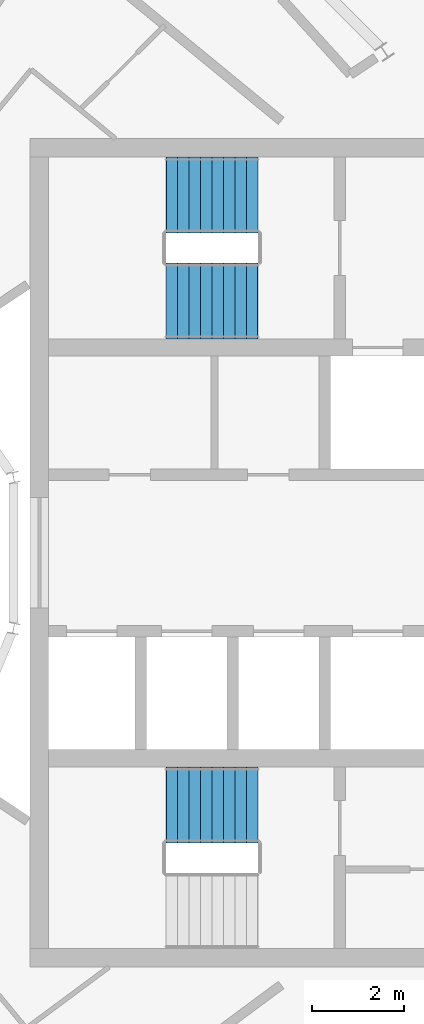
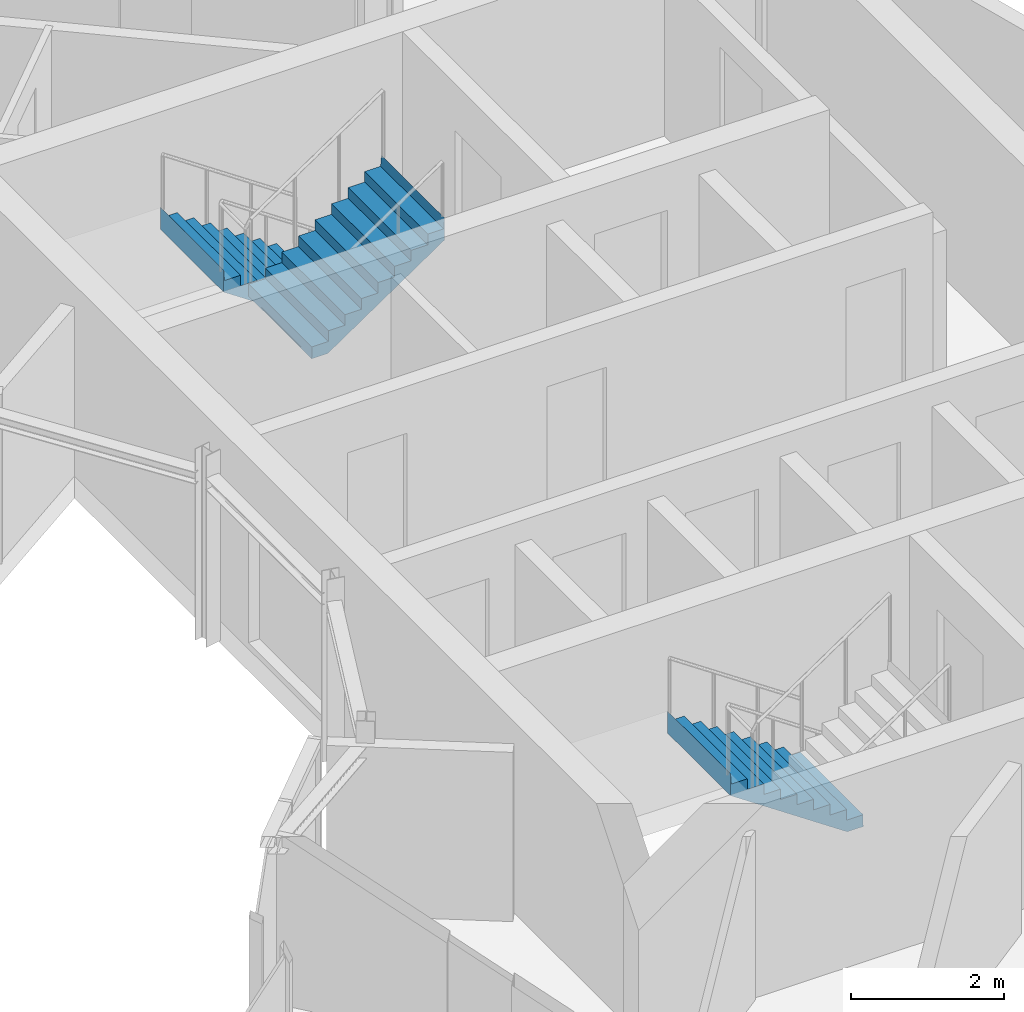
# One storey, part 16 of 17: 3 stair flights, 2 elements without a shape of their own.
"""IFC4 building model written with IfcOpenShell, lengths in metres."""

from ifc_helpers import new_model, si_unit, direction, frame, origin, place, context, subcontext, project, spatial, triangles, material, type_object, element, aggregate, save


model = new_model("IFC4")

# Units and contexts
model_context = context("Model", 3, precision=1e-05, world=origin(), true_north=direction((0.0, 1.0)))
body_context = subcontext(model_context, "Body", "Model", "MODEL_VIEW")
ifc_project = project(units=[si_unit("LENGTHUNIT", "METRE"), si_unit("AREAUNIT", "SQUARE_METRE"), si_unit("VOLUMEUNIT", "CUBIC_METRE"), si_unit("PLANEANGLEUNIT", "RADIAN"), si_unit("MASSUNIT", "GRAM", prefix="KILO")], contexts=[model_context])

# Site, building, storey
site_placement = place(None, origin())
site = spatial("IfcSite", under=ifc_project, at=site_placement, CompositionType="ELEMENT")
building_placement = place(site_placement, origin())
building = spatial("IfcBuilding", under=site, at=building_placement, Name="Maasbend Ring Residences", CompositionType="ELEMENT")
storey_placement = place(building_placement, frame((0.0, 0.0, 249.300048828125)))
storey = spatial("IfcBuildingStorey", under=building, at=storey_placement, Name="L72", CompositionType="ELEMENT", Elevation=249.300048828125)

# Stair, stair flights
ifc_material_1 = material(Name="Concrete C40/50", Category="concrete")
stair_type = type_object("IfcStairType", Name="CORE STAIR 18 RISERS", PredefinedType="HALF_TURN_STAIR", material=ifc_material_1)
stair_1_placement = place(storey_placement, origin())
stair_1 = element("IfcStair", 1, at=stair_1_placement, inside=storey, type_object=stair_type, Name="L72 Exit stair ST-E1", PredefinedType="HALF_TURN_STAIR")
ifc_material_2 = material(Name="Concrete C40/50", Category="concrete")
stair_flight_type = type_object("IfcStairFlightType", Name="CORE STAIR FLIGHT 1650", PredefinedType="STRAIGHT", material=ifc_material_2)
stair_flight_1_placement = place(storey_placement, frame((13.550048828125, 7.77490234375, 0.0), z_axis=(0.0, 0.0, 1.0), x_axis=(-1.0, 0.0, 0.0)))
stair_flight_1 = element("IfcStairFlight", 2, at=stair_flight_1_placement, type_object=stair_flight_type, Name="ST-E1 flight 1", NumberOfRisers=9, NumberOfTreads=8, PredefinedType="STRAIGHT", RiserHeight=0.169444444, TreadLength=0.25, context=body_context, shape_type="Tessellation", body=[
    triangles([(0.24072265625, 0.824951171875, -0.02001953125), (2.0029296875, 0.824951171875, 1.174560546875), (2.0029296875, 0.824951171875, 1.52490234375), (1.989990234375, 0.824951171875, 1.35546875), (1.75, 0.824951171875, 1.35546875), (1.75, 0.824951171875, 1.18603515625), (1.5, 0.824951171875, 1.18603515625), (1.5, 0.824951171875, 1.0166015625), (1.25, 0.824951171875, 1.0166015625), (1.25, 0.824951171875, 0.84716796875), (1.0, 0.824951171875, 0.84716796875), (1.0, 0.824951171875, 0.677734375), (0.75, 0.824951171875, 0.677734375), (0.75, 0.824951171875, 0.50830078125), (0.5, 0.824951171875, 0.50830078125), (0.5, 0.824951171875, 0.3388671875), (0.25, 0.824951171875, 0.3388671875), (0.25, 0.824951171875, 0.16943359375), (0.0, 0.824951171875, 0.16943359375), (0.0, 0.824951171875, 0.0), (-0.0029296875, 0.824951171875, 0.0), (-0.0029296875, 0.824951171875, -0.02001953125), (0.24072265625, 0.27490234375, -0.02001953125), (2.0029296875, 0.27490234375, 1.174560546875), (2.0029296875, 0.27490234375, 1.52490234375), (1.989990234375, 0.27490234375, 1.35546875), (1.75, 0.27490234375, 1.35546875), (1.75, 0.27490234375, 1.18603515625), (1.5, 0.27490234375, 1.18603515625), (1.5, 0.27490234375, 1.0166015625), (1.25, 0.27490234375, 1.0166015625), (1.25, 0.27490234375, 0.84716796875), (1.0, 0.27490234375, 0.84716796875), (1.0, 0.27490234375, 0.677734375), (0.75, 0.27490234375, 0.677734375), (0.75, 0.27490234375, 0.50830078125), (0.5, 0.27490234375, 0.50830078125), (0.5, 0.27490234375, 0.3388671875), (0.25, 0.27490234375, 0.3388671875), (0.25, 0.27490234375, 0.16943359375), (0.0, 0.27490234375, 0.16943359375), (0.0, 0.27490234375, 0.0), (-0.0029296875, 0.27490234375, 0.0), (-0.0029296875, 0.27490234375, -0.02001953125), (0.24072265625, -0.27490234375, -0.02001953125), (2.0029296875, -0.27490234375, 1.174560546875), (2.0029296875, -0.27490234375, 1.52490234375), (1.989990234375, -0.27490234375, 1.35546875), (1.75, -0.27490234375, 1.35546875), (1.75, -0.27490234375, 1.18603515625), (1.5, -0.27490234375, 1.18603515625), (1.5, -0.27490234375, 1.0166015625), (1.25, -0.27490234375, 1.0166015625), (1.25, -0.27490234375, 0.84716796875), (1.0, -0.27490234375, 0.84716796875), (1.0, -0.27490234375, 0.677734375), (0.75, -0.27490234375, 0.677734375), (0.75, -0.27490234375, 0.50830078125), (0.5, -0.27490234375, 0.50830078125), (0.5, -0.27490234375, 0.3388671875), (0.25, -0.27490234375, 0.3388671875), (0.25, -0.27490234375, 0.16943359375), (0.0, -0.27490234375, 0.16943359375), (0.0, -0.27490234375, 0.0), (-0.0029296875, -0.27490234375, 0.0), (-0.0029296875, -0.27490234375, -0.02001953125), (0.24072265625, -0.824951171875, -0.02001953125), (2.0029296875, -0.824951171875, 1.174560546875), (2.0029296875, -0.824951171875, 1.52490234375), (1.989990234375, -0.824951171875, 1.35546875), (1.75, -0.824951171875, 1.35546875), (1.75, -0.824951171875, 1.18603515625), (1.5, -0.824951171875, 1.18603515625), (1.5, -0.824951171875, 1.0166015625), (1.25, -0.824951171875, 1.0166015625), (1.25, -0.824951171875, 0.84716796875), (1.0, -0.824951171875, 0.84716796875), (1.0, -0.824951171875, 0.677734375), (0.75, -0.824951171875, 0.677734375), (0.75, -0.824951171875, 0.50830078125), (0.5, -0.824951171875, 0.50830078125), (0.5, -0.824951171875, 0.3388671875), (0.25, -0.824951171875, 0.3388671875), (0.25, -0.824951171875, 0.16943359375), (0.0, -0.824951171875, 0.16943359375), (0.0, -0.824951171875, 0.0), (-0.0029296875, -0.824951171875, 0.0), (-0.0029296875, -0.824951171875, -0.02001953125)], [[1, 2, 24], [1, 24, 23], [23, 24, 46], [23, 46, 45], [45, 46, 68], [45, 68, 67], [2, 3, 25], [2, 25, 24], [24, 25, 47], [24, 47, 46], [46, 47, 69], [46, 69, 68], [3, 4, 26], [3, 26, 25], [25, 26, 48], [25, 48, 47], [47, 48, 70], [47, 70, 69], [4, 5, 27], [4, 27, 26], [26, 27, 49], [26, 49, 48], [48, 49, 71], [48, 71, 70], [5, 6, 28], [5, 28, 27], [27, 28, 50], [27, 50, 49], [49, 50, 72], [49, 72, 71], [6, 7, 29], [6, 29, 28], [28, 29, 51], [28, 51, 50], [50, 51, 73], [50, 73, 72], [7, 8, 30], [7, 30, 29], [29, 30, 52], [29, 52, 51], [51, 52, 74], [51, 74, 73], [8, 9, 31], [8, 31, 30], [30, 31, 53], [30, 53, 52], [52, 53, 75], [52, 75, 74], [9, 10, 32], [9, 32, 31], [31, 32, 54], [31, 54, 53], [53, 54, 76], [53, 76, 75], [10, 11, 33], [10, 33, 32], [32, 33, 55], [32, 55, 54], [54, 55, 77], [54, 77, 76], [11, 12, 34], [11, 34, 33], [33, 34, 56], [33, 56, 55], [55, 56, 78], [55, 78, 77], [12, 13, 35], [12, 35, 34], [34, 35, 57], [34, 57, 56], [56, 57, 79], [56, 79, 78], [13, 14, 36], [13, 36, 35], [35, 36, 58], [35, 58, 57], [57, 58, 80], [57, 80, 79], [14, 15, 37], [14, 37, 36], [36, 37, 59], [36, 59, 58], [58, 59, 81], [58, 81, 80], [15, 16, 38], [15, 38, 37], [37, 38, 60], [37, 60, 59], [59, 60, 82], [59, 82, 81], [16, 17, 39], [16, 39, 38], [38, 39, 61], [38, 61, 60], [60, 61, 83], [60, 83, 82], [17, 18, 40], [17, 40, 39], [39, 40, 62], [39, 62, 61], [61, 62, 84], [61, 84, 83], [18, 19, 41], [18, 41, 40], [40, 41, 63], [40, 63, 62], [62, 63, 85], [62, 85, 84], [19, 20, 42], [19, 42, 41], [41, 42, 64], [41, 64, 63], [63, 64, 86], [63, 86, 85], [20, 21, 43], [20, 43, 42], [42, 43, 65], [42, 65, 64], [64, 65, 87], [64, 87, 86], [21, 22, 44], [21, 44, 43], [43, 44, 66], [43, 66, 65], [65, 66, 88], [65, 88, 87], [22, 1, 23], [22, 23, 44], [44, 23, 45], [44, 45, 66], [66, 45, 67], [66, 67, 88], [22, 2, 1], [2, 4, 3], [2, 5, 4], [2, 6, 5], [22, 6, 2], [6, 8, 7], [22, 8, 6], [8, 10, 9], [22, 10, 8], [10, 12, 11], [22, 12, 10], [12, 14, 13], [22, 14, 12], [14, 16, 15], [22, 16, 14], [16, 18, 17], [22, 18, 16], [18, 20, 19], [22, 20, 18], [20, 22, 21], [88, 67, 68], [68, 69, 70], [68, 70, 71], [68, 71, 72], [88, 68, 72], [72, 73, 74], [88, 72, 74], [74, 75, 76], [88, 74, 76], [76, 77, 78], [88, 76, 78], [78, 79, 80], [88, 78, 80], [80, 81, 82], [88, 80, 82], [82, 83, 84], [88, 82, 84], [84, 85, 86], [88, 84, 86], [86, 87, 88]], closed=True),
])
stair_flight_2_placement = place(storey_placement, frame((11.550048828125, 5.47509765625, 1.52490234375), z_axis=(0.0, 0.0, 1.0), x_axis=(1.0, 0.0, 0.0)))
stair_flight_2 = element("IfcStairFlight", 3, at=stair_flight_2_placement, type_object=stair_flight_type, Name="ST-E1 flight 2", NumberOfRisers=9, NumberOfTreads=8, PredefinedType="STRAIGHT", RiserHeight=0.169444444, TreadLength=0.25, context=body_context, shape_type="Tessellation", body=[
    triangles([(0.24072265625, 0.824951171875, -0.02001953125), (2.0029296875, 0.824951171875, 1.174560546875), (2.0029296875, 0.824951171875, 1.52490234375), (1.989990234375, 0.824951171875, 1.35546875), (1.75, 0.824951171875, 1.35546875), (1.75, 0.824951171875, 1.18603515625), (1.5, 0.824951171875, 1.18603515625), (1.5, 0.824951171875, 1.0166015625), (1.25, 0.824951171875, 1.0166015625), (1.25, 0.824951171875, 0.84716796875), (1.0, 0.824951171875, 0.84716796875), (1.0, 0.824951171875, 0.677734375), (0.75, 0.824951171875, 0.677734375), (0.75, 0.824951171875, 0.50830078125), (0.5, 0.824951171875, 0.50830078125), (0.5, 0.824951171875, 0.3388671875), (0.25, 0.824951171875, 0.3388671875), (0.25, 0.824951171875, 0.16943359375), (0.0, 0.824951171875, 0.16943359375), (0.0, 0.824951171875, 0.0), (-0.0029296875, 0.824951171875, 0.0), (-0.0029296875, 0.824951171875, -0.02001953125), (0.24072265625, 0.27490234375, -0.02001953125), (2.0029296875, 0.27490234375, 1.174560546875), (2.0029296875, 0.27490234375, 1.52490234375), (1.989990234375, 0.27490234375, 1.35546875), (1.75, 0.27490234375, 1.35546875), (1.75, 0.27490234375, 1.18603515625), (1.5, 0.27490234375, 1.18603515625), (1.5, 0.27490234375, 1.0166015625), (1.25, 0.27490234375, 1.0166015625), (1.25, 0.27490234375, 0.84716796875), (1.0, 0.27490234375, 0.84716796875), (1.0, 0.27490234375, 0.677734375), (0.75, 0.27490234375, 0.677734375), (0.75, 0.27490234375, 0.50830078125), (0.5, 0.27490234375, 0.50830078125), (0.5, 0.27490234375, 0.3388671875), (0.25, 0.27490234375, 0.3388671875), (0.25, 0.27490234375, 0.16943359375), (0.0, 0.27490234375, 0.16943359375), (0.0, 0.27490234375, 0.0), (-0.0029296875, 0.27490234375, 0.0), (-0.0029296875, 0.27490234375, -0.02001953125), (0.24072265625, -0.27490234375, -0.02001953125), (2.0029296875, -0.27490234375, 1.174560546875), (2.0029296875, -0.27490234375, 1.52490234375), (1.989990234375, -0.27490234375, 1.35546875), (1.75, -0.27490234375, 1.35546875), (1.75, -0.27490234375, 1.18603515625), (1.5, -0.27490234375, 1.18603515625), (1.5, -0.27490234375, 1.0166015625), (1.25, -0.27490234375, 1.0166015625), (1.25, -0.27490234375, 0.84716796875), (1.0, -0.27490234375, 0.84716796875), (1.0, -0.27490234375, 0.677734375), (0.75, -0.27490234375, 0.677734375), (0.75, -0.27490234375, 0.50830078125), (0.5, -0.27490234375, 0.50830078125), (0.5, -0.27490234375, 0.3388671875), (0.25, -0.27490234375, 0.3388671875), (0.25, -0.27490234375, 0.16943359375), (0.0, -0.27490234375, 0.16943359375), (0.0, -0.27490234375, 0.0), (-0.0029296875, -0.27490234375, 0.0), (-0.0029296875, -0.27490234375, -0.02001953125), (0.24072265625, -0.824951171875, -0.02001953125), (2.0029296875, -0.824951171875, 1.174560546875), (2.0029296875, -0.824951171875, 1.52490234375), (1.989990234375, -0.824951171875, 1.35546875), (1.75, -0.824951171875, 1.35546875), (1.75, -0.824951171875, 1.18603515625), (1.5, -0.824951171875, 1.18603515625), (1.5, -0.824951171875, 1.0166015625), (1.25, -0.824951171875, 1.0166015625), (1.25, -0.824951171875, 0.84716796875), (1.0, -0.824951171875, 0.84716796875), (1.0, -0.824951171875, 0.677734375), (0.75, -0.824951171875, 0.677734375), (0.75, -0.824951171875, 0.50830078125), (0.5, -0.824951171875, 0.50830078125), (0.5, -0.824951171875, 0.3388671875), (0.25, -0.824951171875, 0.3388671875), (0.25, -0.824951171875, 0.16943359375), (0.0, -0.824951171875, 0.16943359375), (0.0, -0.824951171875, 0.0), (-0.0029296875, -0.824951171875, 0.0), (-0.0029296875, -0.824951171875, -0.02001953125)], [[1, 2, 24], [1, 24, 23], [23, 24, 46], [23, 46, 45], [45, 46, 68], [45, 68, 67], [2, 3, 25], [2, 25, 24], [24, 25, 47], [24, 47, 46], [46, 47, 69], [46, 69, 68], [3, 4, 26], [3, 26, 25], [25, 26, 48], [25, 48, 47], [47, 48, 70], [47, 70, 69], [4, 5, 27], [4, 27, 26], [26, 27, 49], [26, 49, 48], [48, 49, 71], [48, 71, 70], [5, 6, 28], [5, 28, 27], [27, 28, 50], [27, 50, 49], [49, 50, 72], [49, 72, 71], [6, 7, 29], [6, 29, 28], [28, 29, 51], [28, 51, 50], [50, 51, 73], [50, 73, 72], [7, 8, 30], [7, 30, 29], [29, 30, 52], [29, 52, 51], [51, 52, 74], [51, 74, 73], [8, 9, 31], [8, 31, 30], [30, 31, 53], [30, 53, 52], [52, 53, 75], [52, 75, 74], [9, 10, 32], [9, 32, 31], [31, 32, 54], [31, 54, 53], [53, 54, 76], [53, 76, 75], [10, 11, 33], [10, 33, 32], [32, 33, 55], [32, 55, 54], [54, 55, 77], [54, 77, 76], [11, 12, 34], [11, 34, 33], [33, 34, 56], [33, 56, 55], [55, 56, 78], [55, 78, 77], [12, 13, 35], [12, 35, 34], [34, 35, 57], [34, 57, 56], [56, 57, 79], [56, 79, 78], [13, 14, 36], [13, 36, 35], [35, 36, 58], [35, 58, 57], [57, 58, 80], [57, 80, 79], [14, 15, 37], [14, 37, 36], [36, 37, 59], [36, 59, 58], [58, 59, 81], [58, 81, 80], [15, 16, 38], [15, 38, 37], [37, 38, 60], [37, 60, 59], [59, 60, 82], [59, 82, 81], [16, 17, 39], [16, 39, 38], [38, 39, 61], [38, 61, 60], [60, 61, 83], [60, 83, 82], [17, 18, 40], [17, 40, 39], [39, 40, 62], [39, 62, 61], [61, 62, 84], [61, 84, 83], [18, 19, 41], [18, 41, 40], [40, 41, 63], [40, 63, 62], [62, 63, 85], [62, 85, 84], [19, 20, 42], [19, 42, 41], [41, 42, 64], [41, 64, 63], [63, 64, 86], [63, 86, 85], [20, 21, 43], [20, 43, 42], [42, 43, 65], [42, 65, 64], [64, 65, 87], [64, 87, 86], [21, 22, 44], [21, 44, 43], [43, 44, 66], [43, 66, 65], [65, 66, 88], [65, 88, 87], [22, 1, 23], [22, 23, 44], [44, 23, 45], [44, 45, 66], [66, 45, 67], [66, 67, 88], [22, 2, 1], [2, 4, 3], [2, 5, 4], [2, 6, 5], [22, 6, 2], [6, 8, 7], [22, 8, 6], [8, 10, 9], [22, 10, 8], [10, 12, 11], [22, 12, 10], [12, 14, 13], [22, 14, 12], [14, 16, 15], [22, 16, 14], [16, 18, 17], [22, 18, 16], [18, 20, 19], [22, 20, 18], [20, 22, 21], [88, 67, 68], [68, 69, 70], [68, 70, 71], [68, 71, 72], [88, 68, 72], [72, 73, 74], [88, 72, 74], [74, 75, 76], [88, 74, 76], [76, 77, 78], [88, 76, 78], [78, 79, 80], [88, 78, 80], [80, 81, 82], [88, 80, 82], [82, 83, 84], [88, 82, 84], [84, 85, 86], [88, 84, 86], [86, 87, 88]], closed=True),
])
aggregate(stair_1, [stair_flight_1, stair_flight_2])

# Stair, stair flight
stair_2_placement = place(storey_placement, origin())
stair_2 = element("IfcStair", 4, at=stair_2_placement, inside=storey, type_object=stair_type, Name="L72 Exit stair ST-E2", PredefinedType="HALF_TURN_STAIR")
stair_flight_3_placement = place(storey_placement, frame((13.550048828125, -5.47509765625, 0.0), z_axis=(0.0, 0.0, 1.0), x_axis=(-1.0, 0.0, 0.0)))
stair_flight_3 = element("IfcStairFlight", 5, at=stair_flight_3_placement, type_object=stair_flight_type, Name="ST-E2 flight 1", NumberOfRisers=9, NumberOfTreads=8, PredefinedType="STRAIGHT", RiserHeight=0.169444444, TreadLength=0.25, context=body_context, shape_type="Tessellation", body=[
    triangles([(0.24072265625, 0.824951171875, -0.02001953125), (2.0029296875, 0.824951171875, 1.174560546875), (2.0029296875, 0.824951171875, 1.52490234375), (1.989990234375, 0.824951171875, 1.35546875), (1.75, 0.824951171875, 1.35546875), (1.75, 0.824951171875, 1.18603515625), (1.5, 0.824951171875, 1.18603515625), (1.5, 0.824951171875, 1.0166015625), (1.25, 0.824951171875, 1.0166015625), (1.25, 0.824951171875, 0.84716796875), (1.0, 0.824951171875, 0.84716796875), (1.0, 0.824951171875, 0.677734375), (0.75, 0.824951171875, 0.677734375), (0.75, 0.824951171875, 0.50830078125), (0.5, 0.824951171875, 0.50830078125), (0.5, 0.824951171875, 0.3388671875), (0.25, 0.824951171875, 0.3388671875), (0.25, 0.824951171875, 0.16943359375), (0.0, 0.824951171875, 0.16943359375), (0.0, 0.824951171875, 0.0), (-0.0029296875, 0.824951171875, 0.0), (-0.0029296875, 0.824951171875, -0.02001953125), (0.24072265625, 0.27490234375, -0.02001953125), (2.0029296875, 0.27490234375, 1.174560546875), (2.0029296875, 0.27490234375, 1.52490234375), (1.989990234375, 0.27490234375, 1.35546875), (1.75, 0.27490234375, 1.35546875), (1.75, 0.27490234375, 1.18603515625), (1.5, 0.27490234375, 1.18603515625), (1.5, 0.27490234375, 1.0166015625), (1.25, 0.27490234375, 1.0166015625), (1.25, 0.27490234375, 0.84716796875), (1.0, 0.27490234375, 0.84716796875), (1.0, 0.27490234375, 0.677734375), (0.75, 0.27490234375, 0.677734375), (0.75, 0.27490234375, 0.50830078125), (0.5, 0.27490234375, 0.50830078125), (0.5, 0.27490234375, 0.3388671875), (0.25, 0.27490234375, 0.3388671875), (0.25, 0.27490234375, 0.16943359375), (0.0, 0.27490234375, 0.16943359375), (0.0, 0.27490234375, 0.0), (-0.0029296875, 0.27490234375, 0.0), (-0.0029296875, 0.27490234375, -0.02001953125), (0.24072265625, -0.27490234375, -0.02001953125), (2.0029296875, -0.27490234375, 1.174560546875), (2.0029296875, -0.27490234375, 1.52490234375), (1.989990234375, -0.27490234375, 1.35546875), (1.75, -0.27490234375, 1.35546875), (1.75, -0.27490234375, 1.18603515625), (1.5, -0.27490234375, 1.18603515625), (1.5, -0.27490234375, 1.0166015625), (1.25, -0.27490234375, 1.0166015625), (1.25, -0.27490234375, 0.84716796875), (1.0, -0.27490234375, 0.84716796875), (1.0, -0.27490234375, 0.677734375), (0.75, -0.27490234375, 0.677734375), (0.75, -0.27490234375, 0.50830078125), (0.5, -0.27490234375, 0.50830078125), (0.5, -0.27490234375, 0.3388671875), (0.25, -0.27490234375, 0.3388671875), (0.25, -0.27490234375, 0.16943359375), (0.0, -0.27490234375, 0.16943359375), (0.0, -0.27490234375, 0.0), (-0.0029296875, -0.27490234375, 0.0), (-0.0029296875, -0.27490234375, -0.02001953125), (0.24072265625, -0.824951171875, -0.02001953125), (2.0029296875, -0.824951171875, 1.174560546875), (2.0029296875, -0.824951171875, 1.52490234375), (1.989990234375, -0.824951171875, 1.35546875), (1.75, -0.824951171875, 1.35546875), (1.75, -0.824951171875, 1.18603515625), (1.5, -0.824951171875, 1.18603515625), (1.5, -0.824951171875, 1.0166015625), (1.25, -0.824951171875, 1.0166015625), (1.25, -0.824951171875, 0.84716796875), (1.0, -0.824951171875, 0.84716796875), (1.0, -0.824951171875, 0.677734375), (0.75, -0.824951171875, 0.677734375), (0.75, -0.824951171875, 0.50830078125), (0.5, -0.824951171875, 0.50830078125), (0.5, -0.824951171875, 0.3388671875), (0.25, -0.824951171875, 0.3388671875), (0.25, -0.824951171875, 0.16943359375), (0.0, -0.824951171875, 0.16943359375), (0.0, -0.824951171875, 0.0), (-0.0029296875, -0.824951171875, 0.0), (-0.0029296875, -0.824951171875, -0.02001953125)], [[1, 2, 24], [1, 24, 23], [23, 24, 46], [23, 46, 45], [45, 46, 68], [45, 68, 67], [2, 3, 25], [2, 25, 24], [24, 25, 47], [24, 47, 46], [46, 47, 69], [46, 69, 68], [3, 4, 26], [3, 26, 25], [25, 26, 48], [25, 48, 47], [47, 48, 70], [47, 70, 69], [4, 5, 27], [4, 27, 26], [26, 27, 49], [26, 49, 48], [48, 49, 71], [48, 71, 70], [5, 6, 28], [5, 28, 27], [27, 28, 50], [27, 50, 49], [49, 50, 72], [49, 72, 71], [6, 7, 29], [6, 29, 28], [28, 29, 51], [28, 51, 50], [50, 51, 73], [50, 73, 72], [7, 8, 30], [7, 30, 29], [29, 30, 52], [29, 52, 51], [51, 52, 74], [51, 74, 73], [8, 9, 31], [8, 31, 30], [30, 31, 53], [30, 53, 52], [52, 53, 75], [52, 75, 74], [9, 10, 32], [9, 32, 31], [31, 32, 54], [31, 54, 53], [53, 54, 76], [53, 76, 75], [10, 11, 33], [10, 33, 32], [32, 33, 55], [32, 55, 54], [54, 55, 77], [54, 77, 76], [11, 12, 34], [11, 34, 33], [33, 34, 56], [33, 56, 55], [55, 56, 78], [55, 78, 77], [12, 13, 35], [12, 35, 34], [34, 35, 57], [34, 57, 56], [56, 57, 79], [56, 79, 78], [13, 14, 36], [13, 36, 35], [35, 36, 58], [35, 58, 57], [57, 58, 80], [57, 80, 79], [14, 15, 37], [14, 37, 36], [36, 37, 59], [36, 59, 58], [58, 59, 81], [58, 81, 80], [15, 16, 38], [15, 38, 37], [37, 38, 60], [37, 60, 59], [59, 60, 82], [59, 82, 81], [16, 17, 39], [16, 39, 38], [38, 39, 61], [38, 61, 60], [60, 61, 83], [60, 83, 82], [17, 18, 40], [17, 40, 39], [39, 40, 62], [39, 62, 61], [61, 62, 84], [61, 84, 83], [18, 19, 41], [18, 41, 40], [40, 41, 63], [40, 63, 62], [62, 63, 85], [62, 85, 84], [19, 20, 42], [19, 42, 41], [41, 42, 64], [41, 64, 63], [63, 64, 86], [63, 86, 85], [20, 21, 43], [20, 43, 42], [42, 43, 65], [42, 65, 64], [64, 65, 87], [64, 87, 86], [21, 22, 44], [21, 44, 43], [43, 44, 66], [43, 66, 65], [65, 66, 88], [65, 88, 87], [22, 1, 23], [22, 23, 44], [44, 23, 45], [44, 45, 66], [66, 45, 67], [66, 67, 88], [22, 2, 1], [2, 4, 3], [2, 5, 4], [2, 6, 5], [22, 6, 2], [6, 8, 7], [22, 8, 6], [8, 10, 9], [22, 10, 8], [10, 12, 11], [22, 12, 10], [12, 14, 13], [22, 14, 12], [14, 16, 15], [22, 16, 14], [16, 18, 17], [22, 18, 16], [18, 20, 19], [22, 20, 18], [20, 22, 21], [88, 67, 68], [68, 69, 70], [68, 70, 71], [68, 71, 72], [88, 68, 72], [72, 73, 74], [88, 72, 74], [74, 75, 76], [88, 74, 76], [76, 77, 78], [88, 76, 78], [78, 79, 80], [88, 78, 80], [80, 81, 82], [88, 80, 82], [82, 83, 84], [88, 82, 84], [84, 85, 86], [88, 84, 86], [86, 87, 88]], closed=True),
])
aggregate(stair_2, [stair_flight_3])

save(model, "model.ifc")
